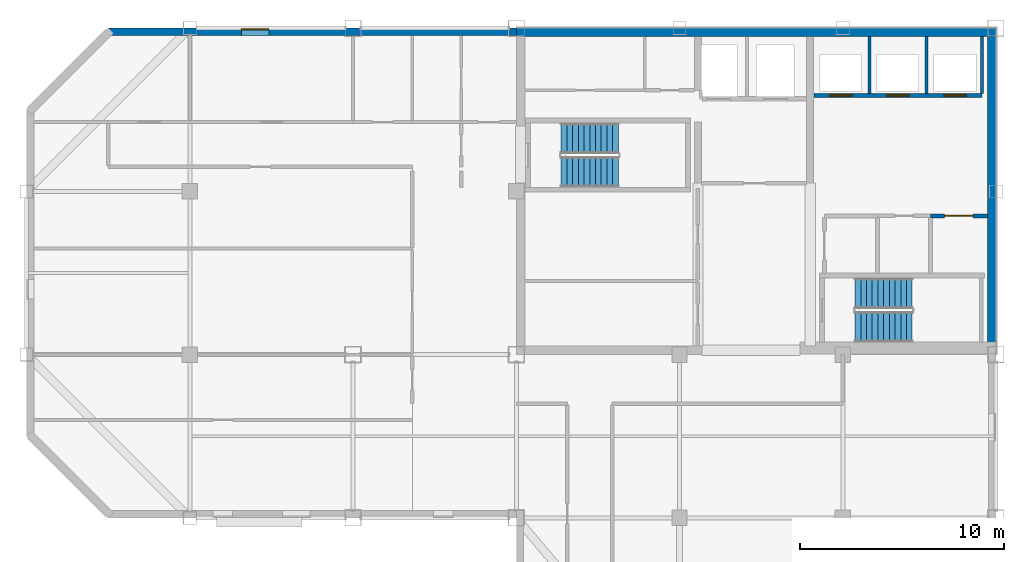
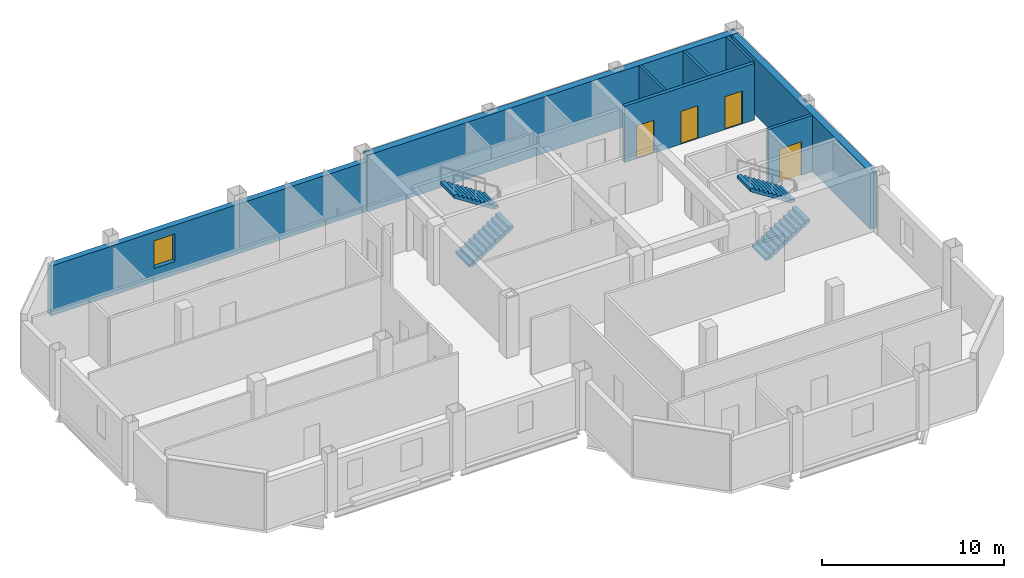
# One storey, part 4 of 7: 8 walls, 4 doors, 4 stair flights, 1 window, 5 openings, 2 elements without a shape of their own.
"""IFC4 building model written with IfcOpenShell, lengths in metres."""

import ifcopenshell
import ifcopenshell.guid

model = None  # the IFC model being written
_history = None  # IfcOwnerHistory: only IFC2X3 demands one
_inside = {}  # id of a spatial element -> (the spatial element, [elements in it])
_under = {}  # id of a project, library or spatial element -> (it, [spatial elements below it])
_declared = {}  # id of a project -> (the project, [libraries it declares])
_typed = {}  # id of a type object -> (the type object, [elements of that type])
_made_of = {}  # id of a material, layer set ... -> (it, [elements and type objects made of it])


def new_model(schema):
    """Start an empty IFC model of exactly this schema.

    Asked for "IFC4X3", IfcOpenShell would pick the latest addendum, in which some entities
    have other attributes; the version numbers below select the first issue.
    IFC2X3 requires an IfcOwnerHistory on every rooted entity: one is made here for all.
    """
    global model, _history
    if schema == "IFC4X3":
        model = ifcopenshell.file(schema_version=(4, 3, 0, 0))
    else:
        model = ifcopenshell.file(schema=schema)
    _inside.clear()
    _under.clear()
    _declared.clear()
    _typed.clear()
    _made_of.clear()
    _history = None
    if model.schema == "IFC2X3":
        org = make("IfcOrganization", Name="unknown")
        user = make(
            "IfcPersonAndOrganization",
            ThePerson=make("IfcPerson", FamilyName="unknown"),
            TheOrganization=org,
        )
        app = make(
            "IfcApplication",
            ApplicationDeveloper=org,
            Version="unknown",
            ApplicationFullName="unknown",
            ApplicationIdentifier="unknown",
        )
        _history = make(
            "IfcOwnerHistory",
            OwningUser=user,
            OwningApplication=app,
            ChangeAction="ADDED",
            CreationDate=0,
        )
    return model


def make(cls, **values):
    """One entity of the class cls with the attributes given. An attribute that is None is left unset."""
    return model.create_entity(
        cls, **{name: value for name, value in values.items() if value is not None}
    )


def rooted(cls, **values):
    """An entity with a GlobalId (a new one), such as an element, a storey or a relation."""
    return make(cls, GlobalId=ifcopenshell.guid.new(), OwnerHistory=_history, **values)


def si_unit(unit_type, name, prefix=None):
    """IfcSIUnit, for example si_unit("LENGTHUNIT", "METRE", prefix="MILLI")."""
    return make("IfcSIUnit", UnitType=unit_type, Prefix=prefix, Name=name)


def assignment(units):
    """IfcUnitAssignment: the units of a project."""
    return None if units is None else make("IfcUnitAssignment", Units=units)


def point(xyz):
    """IfcCartesianPoint."""
    return None if xyz is None else make("IfcCartesianPoint", Coordinates=xyz)


def direction(xyz):
    """IfcDirection."""
    return None if xyz is None else make("IfcDirection", DirectionRatios=xyz)


def frame(location, z_axis=None, x_axis=None):
    """IfcAxis2Placement3D, a coordinate frame: its origin and axes. An axis left out is left unset."""
    return make(
        "IfcAxis2Placement3D",
        Location=point(location),
        Axis=direction(z_axis),
        RefDirection=direction(x_axis),
    )


def frame_2d(location, x_axis=None):
    """IfcAxis2Placement2D, a coordinate frame in the plane: its origin and x axis."""
    return make(
        "IfcAxis2Placement2D", Location=point(location), RefDirection=direction(x_axis)
    )


def origin():
    """The frame at (0, 0, 0) with its axes left unset."""
    return frame((0.0, 0.0, 0.0))


def place(relative_to, where):
    """IfcLocalPlacement: puts the frame where relative to a parent placement (None: the world)."""
    return make(
        "IfcLocalPlacement", PlacementRelTo=relative_to, RelativePlacement=where
    )


def context(
    kind, dimensions, precision=None, world=None, true_north=None, identifier=None
):
    """IfcGeometricRepresentationContext, for example the 3D "Model" context."""
    return make(
        "IfcGeometricRepresentationContext",
        ContextIdentifier=identifier,
        ContextType=kind,
        CoordinateSpaceDimension=dimensions,
        Precision=precision,
        WorldCoordinateSystem=world,
        TrueNorth=true_north,
    )


def subcontext(parent, identifier, kind, view, scale=None):
    """IfcGeometricRepresentationSubContext, for example "Body" below "Model"."""
    return make(
        "IfcGeometricRepresentationSubContext",
        ContextIdentifier=identifier,
        ContextType=kind,
        ParentContext=parent,
        TargetScale=scale,
        TargetView=view,
    )


def project(units=None, contexts=None):
    """IfcProject with its units and contexts."""
    return rooted(
        "IfcProject",
        Name="project",
        RepresentationContexts=contexts,
        UnitsInContext=assignment(units),
    )


def spatial(cls, under=None, at=None, **own):
    """A site, building, storey or space (cls), placed at a placement, below another one or the project."""
    s = rooted(cls, ObjectPlacement=at, **own)
    if under is not None:
        _under.setdefault(under.id(), (under, []))[1].append(s)
    return s


def polyline(points):
    """IfcPolyline through the points."""
    return make("IfcPolyline", Points=[point(p) for p in points])


def profile(cls, at=None, kind="AREA", **sizes):
    """A parametric profile (cls). Its sizes go by their IFC names, for example OverallWidth=200.0."""
    return make(cls, ProfileType=kind, Position=at, **sizes)


def rectangle(**sizes):
    """IfcRectangleProfileDef."""
    return profile("IfcRectangleProfileDef", **sizes)


def outline(outer, holes=None, kind="AREA"):
    """IfcArbitraryClosedProfileDef: a profile drawn as a closed curve; with holes, ...WithVoids."""
    if holes is None:
        return make("IfcArbitraryClosedProfileDef", ProfileType=kind, OuterCurve=outer)
    return make(
        "IfcArbitraryProfileDefWithVoids",
        ProfileType=kind,
        OuterCurve=outer,
        InnerCurves=holes,
    )


def extrude(swept, where, along, depth):
    """IfcExtrudedAreaSolid: the profile swept, set in the frame where, extruded along a direction by depth."""
    return make(
        "IfcExtrudedAreaSolid",
        SweptArea=swept,
        Position=where,
        ExtrudedDirection=direction(along),
        Depth=depth,
    )


def shape(context_of_items, identifier, shape_type, items):
    """IfcShapeRepresentation: the items that make up one representation, for example the "Body"."""
    return make(
        "IfcShapeRepresentation",
        ContextOfItems=context_of_items,
        RepresentationIdentifier=identifier,
        RepresentationType=shape_type,
        Items=items,
    )


def material(Name=None, Category=None):
    """IfcMaterial."""
    return make("IfcMaterial", Name=Name, Category=Category)


def layer(
    of_material, thickness, ventilated=None, Name=None, Category=None, Priority=None
):
    """IfcMaterialLayer: one layer of a wall or slab, of a material (None: an air gap)."""
    return make(
        "IfcMaterialLayer",
        Material=of_material,
        LayerThickness=thickness,
        IsVentilated=ventilated,
        Name=Name,
        Category=Category,
        Priority=Priority,
    )


def layer_set(layers, Name=None):
    """IfcMaterialLayerSet."""
    return make("IfcMaterialLayerSet", MaterialLayers=layers, LayerSetName=Name)


def made_of(thing, what):
    """Note that an element or type object is made of a material, layer set ...; save() writes the relation."""
    if what is not None:
        _made_of.setdefault(what.id(), (what, []))[1].append(thing)
    return thing


def type_object(cls, material=None, **own):
    """A type object (cls), such as IfcWallType, which elements share."""
    return made_of(rooted(cls, **own), material)


def element(
    cls,
    number,
    at=None,
    inside=None,
    cuts=None,
    type_object=None,
    material=None,
    context=None,
    identifier="Body",
    shape_type=None,
    held_by="IfcProductDefinitionShape",
    body=None,
    shapes=None,
    **own,
):
    """One element of the class cls, such as IfcWall. Its Tag is "e" and its number.

    at: its placement. inside: the storey or other place that contains it. cuts: it is an
    opening in that element (IfcRelVoidsElement). A single representation is given by context,
    identifier, shape_type and body (its items); several are given by shapes. held_by: the class
    of the entity that holds the representations. save() writes the other relations.
    """
    e = rooted(cls, Tag="e%d" % number, ObjectPlacement=at, **own)
    if body is not None:
        shapes = [shape(context, identifier, shape_type, body)]
    if shapes is not None:
        e.Representation = make(held_by, Representations=shapes)
    if inside is not None:
        _inside.setdefault(inside.id(), (inside, []))[1].append(e)
    if cuts is not None:
        rooted(
            "IfcRelVoidsElement", RelatingBuildingElement=cuts, RelatedOpeningElement=e
        )
    if type_object is not None:
        _typed.setdefault(type_object.id(), (type_object, []))[1].append(e)
    return made_of(e, material)


def fill(opening, filler):
    """IfcRelFillsElement: the door or window that sits in an opening."""
    return rooted(
        "IfcRelFillsElement",
        RelatingOpeningElement=opening,
        RelatedBuildingElement=filler,
    )


def aggregate(whole, parts):
    """IfcRelAggregates: a whole, such as a stair, and the parts it consists of."""
    return rooted("IfcRelAggregates", RelatingObject=whole, RelatedObjects=parts)


def save(model, path):
    """Write the relations noted so far, then the file.

    IfcRelAggregates (storeys below a building ...), IfcRelContainedInSpatialStructure (elements
    in a storey), IfcRelDefinesByType, IfcRelAssociatesMaterial and IfcRelDeclares: one each for
    every whole, place, type object, material and project.
    """
    for whole, parts in _under.values():
        aggregate(whole, parts)
    for where, things in _inside.values():
        rooted(
            "IfcRelContainedInSpatialStructure",
            RelatedElements=things,
            RelatingStructure=where,
        )
    for kind, things in _typed.values():
        rooted("IfcRelDefinesByType", RelatedObjects=things, RelatingType=kind)
    for what, things in _made_of.values():
        rooted("IfcRelAssociatesMaterial", RelatedObjects=things, RelatingMaterial=what)
    for by, libraries in _declared.values():
        rooted("IfcRelDeclares", RelatingContext=by, RelatedDefinitions=libraries)
    model.write(path)


model = new_model("IFC4")

# Units and contexts
model_context = context("Model", 3, precision=1e-05, world=origin(), true_north=direction((0.0, 1.0)))
body_context = subcontext(model_context, "Body", "Model", "MODEL_VIEW")
ifc_project = project(units=[si_unit("LENGTHUNIT", "METRE"), si_unit("AREAUNIT", "SQUARE_METRE"), si_unit("VOLUMEUNIT", "CUBIC_METRE"), si_unit("PLANEANGLEUNIT", "RADIAN"), si_unit("MASSUNIT", "GRAM", prefix="KILO")], contexts=[model_context])

# Site, building, storey
site_placement = place(None, origin())
site = spatial("IfcSite", under=ifc_project, at=site_placement, CompositionType="ELEMENT")
building_placement = place(site_placement, origin())
building = spatial("IfcBuilding", under=site, at=building_placement, Name="Qianrong Seaharbour Tower", CompositionType="ELEMENT")
storey_placement = place(building_placement, frame((0.0, 0.0, 307.199951171875)))
storey = spatial("IfcBuildingStorey", under=building, at=storey_placement, Name="L74", CompositionType="ELEMENT", Elevation=307.199951171875)

# Walls
ifc_material_1 = material(Name="Concrete C50/60", Category="concrete")
ifc_layer_1 = layer(ifc_material_1, 0.419921875)
ifc_layer_set_1 = layer_set([ifc_layer_1], Name="Concrete C50/60")
wall_type_1 = type_object("IfcWallType", Name="WALL-CORE-420", PredefinedType="SHEAR", material=ifc_layer_set_1)
wall_1_placement = place(storey_placement, frame((40.5, 51.7900390625, 0.0), z_axis=(0.0, 0.0, 1.0), x_axis=(1.0, 0.0, 0.0)))
element("IfcWall", 1, at=wall_1_placement, inside=storey, type_object=wall_type_1, Name="L74 North Core Shear Wall", PredefinedType="SHEAR", context=body_context, shape_type="SweptSolid", body=[
    extrude(rectangle(XDim=23.5, YDim=0.419921875, at=frame_2d((11.75, 0.0))), origin(), (0.0, 0.0, 1.0), 3.78515625),
])
wall_2_placement = place(storey_placement, frame((63.7900390625, 36.320068359375, 0.0), z_axis=(0.0, 0.0, 1.0), x_axis=(0.0, 1.0, 0.0)))
element("IfcWall", 2, at=wall_2_placement, inside=storey, type_object=wall_type_1, Name="L74 East Core Shear Wall", PredefinedType="SHEAR", context=body_context, shape_type="SweptSolid", body=[
    extrude(rectangle(XDim=15.260009765625, YDim=0.419921875, at=frame_2d((7.6298828125, 0.0))), origin(), (0.0, 0.0, 1.0), 3.78515625),
])

# Wall, opening, window
ifc_material_2 = material(Name="Unitised red brick on Precast concrete C45/55", Category="masonry")
ifc_layer_2 = layer(ifc_material_2, 0.360107421875)
ifc_layer_set_2 = layer_set([ifc_layer_2], Name="Unitised red brick on Precast concrete C45/55")
wall_type_2 = type_object("IfcWallType", Name="WALL-EXT-BRICK-RED-360", PredefinedType="SOLIDWALL", material=ifc_layer_set_2)
wall_3_placement = place(storey_placement, frame((20.5, 51.820068359375, 0.0), z_axis=(0.0, 0.0, 1.0), x_axis=(1.0, 0.0, 0.0)))
wall_3 = element("IfcWall", 3, at=wall_3_placement, inside=storey, type_object=wall_type_2, Name="L74 Exterior Masonry Facade Wall NORTH_WING", PredefinedType="SOLIDWALL", context=body_context, shape_type="SweptSolid", body=[
    extrude(rectangle(XDim=20.02001953125, YDim=0.360107421875, at=frame_2d((10.010009765625, 0.0))), origin(), (0.0, 0.0, 1.0), 3.3349609375),
])
opening_1_placement = place(wall_3_placement, frame((6.52490234375, 0.0, 0.89990234375)))
opening_1 = element("IfcOpeningElement", 4, at=opening_1_placement, cuts=wall_3, Name="Opening WN-02", PredefinedType="OPENING", context=body_context, shape_type="SweptSolid", body=[
    extrude(rectangle(XDim=1.35009765625, YDim=1.85009765625, at=frame_2d((0.675048828125, 0.925048828125))), frame((0.0, 0.18994140625, 0.0), z_axis=(0.0, -1.0, 0.0), x_axis=(1.0, 0.0, 0.0)), (0.0, 0.0, 1.0), 0.380126953125),
])
ifc_material_3 = material(Name="Insulated low-e double glazing in thermally broken aluminium 6063-T6 frame", Category="aluminium")
window_type = type_object("IfcWindowType", Name="WIN-PUNCH-1350x1850", PartitioningType="DOUBLE_PANEL_VERTICAL", PredefinedType="WINDOW", material=ifc_material_3)
window_placement = place(opening_1_placement, origin())
window = element("IfcWindow", 5, at=window_placement, inside=storey, type_object=window_type, Name="L74 Deep-Set Punched Window 05.02", OverallHeight=1.85009765625, OverallWidth=1.35009765625, PartitioningType="DOUBLE_PANEL_VERTICAL", PredefinedType="WINDOW", context=body_context, shape_type="SweptSolid", body=[
    extrude(rectangle(XDim=1.35009765625, YDim=1.85009765625, at=frame_2d((0.675048828125, 0.925048828125))), frame((0.0, 0.150146484375, 0.0), z_axis=(0.0, -1.0, 0.0), x_axis=(1.0, 0.0, 0.0)), (0.0, 0.0, 1.0), 0.06005859375),
])
fill(opening_1, window)

# Wall, opening, door
ifc_material_4 = material(Name="Double fire-rated gypsum board acoustic partition")
ifc_layer_3 = layer(ifc_material_4, 0.18994140625)
ifc_layer_set_3 = layer_set([ifc_layer_3], Name="Double fire-rated gypsum board acoustic partition")
wall_type_3 = type_object("IfcWallType", Name="WALL-FIRE-PART-190", PredefinedType="PARTITIONING", material=ifc_layer_set_3)
wall_4_placement = place(storey_placement, frame((63.580078125, 42.800048828125, 0.0), z_axis=(0.0, 0.0, 1.0), x_axis=(-1.0, 0.0, 0.0)))
wall_4 = element("IfcWall", 6, at=wall_4_placement, inside=storey, type_object=wall_type_3, Name="L74 Interior Partition Wall 016", PredefinedType="PARTITIONING", context=body_context, shape_type="SweptSolid", body=[
    extrude(rectangle(XDim=2.780029296875, YDim=0.18994140625, at=frame_2d((1.39013671875, 0.0))), origin(), (0.0, 0.0, 1.0), 3.78515625),
])
opening_2_placement = place(wall_4_placement, frame((0.68994140625, 0.0, 0.0)))
opening_2 = element("IfcOpeningElement", 7, at=opening_2_placement, cuts=wall_4, Name="Opening DP-01", PredefinedType="OPENING", context=body_context, shape_type="SweptSolid", body=[
    extrude(rectangle(XDim=1.39990234375, YDim=2.25, at=frame_2d((0.699951171875, 1.125))), frame((0.0, 0.10498046875, 0.0), z_axis=(0.0, -1.0, 0.0), x_axis=(1.0, 0.0, 0.0)), (0.0, 0.0, 1.0), 0.2099609375),
])
ifc_material_5 = material(Name="Acoustic timber and galvanized steel fire door assembly", Category="steel")
door_type_1 = type_object("IfcDoorType", Name="DOOR-PLANT-PAIR-1400x2250", OperationType="DOUBLE_DOOR_SINGLE_SWING", PredefinedType="DOOR", material=ifc_material_5)
door_1_placement = place(opening_2_placement, origin())
door_1 = element("IfcDoor", 8, at=door_1_placement, inside=storey, type_object=door_type_1, Name="L74 Building Metering Room Door", OperationType="DOUBLE_DOOR_SINGLE_SWING", OverallHeight=2.25, OverallWidth=1.39990234375, PredefinedType="DOOR", context=body_context, shape_type="SweptSolid", body=[
    extrude(rectangle(XDim=1.39990234375, YDim=2.25, at=frame_2d((0.699951171875, 1.125))), frame((0.0, 0.02490234375, 0.0), z_axis=(0.0, -1.0, 0.0), x_axis=(1.0, 0.0, 0.0)), (0.0, 0.0, 1.0), 0.050048828125),
])
fill(opening_2, door_1)

# Walls
ifc_material_6 = material(Name="Fire-rated gypsum board on steel studs", Category="steel")
ifc_layer_4 = layer(ifc_material_6, 0.14990234375)
ifc_layer_set_4 = layer_set([ifc_layer_4], Name="Fire-rated gypsum board on steel studs")
wall_type_4 = type_object("IfcWallType", Name="WALL-SHAFT-DIV-150", PredefinedType="PARTITIONING", material=ifc_layer_set_4)
for number, where, z_axis, x_axis, name in (
    (9, (57.800048828125, 48.81005859375, 0.0), (0.0, 0.0, 1.0), (0.0, 1.0, 0.0), "L74 P4 Lift Hoistway Divider 2"),
    (10, (60.60009765625, 48.81005859375, 0.0), (0.0, 0.0, 1.0), (0.0, 1.0, 0.0), "L74 P4 Lift Hoistway Divider 3"),
    (11, (63.320068359375, 48.81005859375, 0.0), (0.0, 0.0, 1.0), (0.0, 1.0, 0.0), "L74 P4 Lift Hoistway Divider 4"),
):
    element("IfcWall", number, at=place(storey_placement, frame(where, z_axis=z_axis, x_axis=x_axis)), inside=storey, type_object=wall_type_4, Name=name, PredefinedType="PARTITIONING", context=body_context, shape_type="SweptSolid", body=[
        extrude(rectangle(XDim=2.77001953125, YDim=0.14990234375, at=frame_2d((1.385009765625, 0.0))), origin(), (0.0, 0.0, 1.0), 3.78515625),
    ])

# Wall, openings, doors
ifc_layer_5 = layer(ifc_material_6, 0.219970703125)
ifc_layer_set_5 = layer_set([ifc_layer_5], Name="Fire-rated gypsum board on steel studs")
wall_type_5 = type_object("IfcWallType", Name="WALL-SHAFT-GYP220", PredefinedType="PARTITIONING", material=ifc_layer_set_5)
wall_5_placement = place(storey_placement, frame((63.320068359375, 48.699951171875, 0.0), z_axis=(0.0, 0.0, 1.0), x_axis=(-1.0, 0.0, 0.0)))
wall_5 = element("IfcWall", 12, at=wall_5_placement, inside=storey, type_object=wall_type_5, Name="L74 P4 Lift Hoistway Front Wall", PredefinedType="PARTITIONING", context=body_context, shape_type="SweptSolid", body=[
    extrude(rectangle(XDim=8.239990234375, YDim=0.219970703125, at=frame_2d((4.1201171875, 0.0))), origin(), (0.0, 0.0, 1.0), 3.78515625),
])
opening_3_placement = place(wall_5_placement, frame((6.3701171875, 0.0, 0.0)))
opening_3 = element("IfcOpeningElement", 13, at=opening_3_placement, cuts=wall_5, Name="Opening LD-02", PredefinedType="OPENING", context=body_context, shape_type="SweptSolid", body=[
    extrude(rectangle(XDim=1.10009765625, YDim=2.199951171875, at=frame_2d((0.550048828125, 1.10009765625))), frame((0.0, 0.1201171875, 0.0), z_axis=(0.0, -1.0, 0.0), x_axis=(1.0, 0.0, 0.0)), (0.0, 0.0, 1.0), 0.239990234375),
])
opening_4_placement = place(wall_5_placement, frame((3.570068359375, 0.0, 0.0)))
opening_4 = element("IfcOpeningElement", 14, at=opening_4_placement, cuts=wall_5, Name="Opening LD-02", PredefinedType="OPENING", context=body_context, shape_type="SweptSolid", body=[
    extrude(rectangle(XDim=1.10009765625, YDim=2.199951171875, at=frame_2d((0.550048828125, 1.10009765625))), frame((0.0, 0.1201171875, 0.0), z_axis=(0.0, -1.0, 0.0), x_axis=(1.0, 0.0, 0.0)), (0.0, 0.0, 1.0), 0.239990234375),
])
opening_5_placement = place(wall_5_placement, frame((0.77001953125, 0.0, 0.0)))
opening_5 = element("IfcOpeningElement", 15, at=opening_5_placement, cuts=wall_5, Name="Opening LD-02", PredefinedType="OPENING", context=body_context, shape_type="SweptSolid", body=[
    extrude(rectangle(XDim=1.10009765625, YDim=2.199951171875, at=frame_2d((0.550048828125, 1.10009765625))), frame((0.0, 0.1201171875, 0.0), z_axis=(0.0, -1.0, 0.0), x_axis=(1.0, 0.0, 0.0)), (0.0, 0.0, 1.0), 0.239990234375),
])
ifc_material_7 = material(Name="Stainless steel SUS316L bi-parting lift landing door", Category="steel")
door_type_2 = type_object("IfcDoorType", Name="DOOR-LIFT-PASS-1100x2200", OperationType="DOUBLE_DOOR_SLIDING", PredefinedType="DOOR", material=ifc_material_7)
door_2_placement = place(opening_3_placement, origin())
door_2 = element("IfcDoor", 16, at=door_2_placement, inside=storey, type_object=door_type_2, Name="L74 PL-4A Lift Landing Door", OperationType="DOUBLE_DOOR_SLIDING", OverallHeight=2.199951171875, OverallWidth=1.10009765625, PredefinedType="DOOR", context=body_context, shape_type="SweptSolid", body=[
    extrude(rectangle(XDim=1.10009765625, YDim=2.199951171875, at=frame_2d((0.550048828125, 1.10009765625))), frame((0.0, 0.02490234375, 0.0), z_axis=(0.0, -1.0, 0.0), x_axis=(1.0, 0.0, 0.0)), (0.0, 0.0, 1.0), 0.050048828125),
])
fill(opening_3, door_2)
door_3_placement = place(opening_4_placement, origin())
door_3 = element("IfcDoor", 17, at=door_3_placement, inside=storey, type_object=door_type_2, Name="L74 PL-4B Lift Landing Door", OperationType="DOUBLE_DOOR_SLIDING", OverallHeight=2.199951171875, OverallWidth=1.10009765625, PredefinedType="DOOR", context=body_context, shape_type="SweptSolid", body=[
    extrude(rectangle(XDim=1.10009765625, YDim=2.199951171875, at=frame_2d((0.550048828125, 1.10009765625))), frame((0.0, 0.02490234375, 0.0), z_axis=(0.0, -1.0, 0.0), x_axis=(1.0, 0.0, 0.0)), (0.0, 0.0, 1.0), 0.050048828125),
])
fill(opening_4, door_3)
door_4_placement = place(opening_5_placement, origin())
door_4 = element("IfcDoor", 18, at=door_4_placement, inside=storey, type_object=door_type_2, Name="L74 PL-4C Lift Landing Door", OperationType="DOUBLE_DOOR_SLIDING", OverallHeight=2.199951171875, OverallWidth=1.10009765625, PredefinedType="DOOR", context=body_context, shape_type="SweptSolid", body=[
    extrude(rectangle(XDim=1.10009765625, YDim=2.199951171875, at=frame_2d((0.550048828125, 1.10009765625))), frame((0.0, 0.02490234375, 0.0), z_axis=(0.0, -1.0, 0.0), x_axis=(1.0, 0.0, 0.0)), (0.0, 0.0, 1.0), 0.050048828125),
])
fill(opening_5, door_4)

# Stair, stair flights
stair_type = type_object("IfcStairType", Name="STAIR-DOGLEG-1500-R22", PredefinedType="HALF_TURN_STAIR", material=ifc_material_1)
stair_1_placement = place(storey_placement, origin())
stair_1 = element("IfcStair", 19, at=stair_1_placement, inside=storey, type_object=stair_type, Name="L74 Protected Escape Stair ST-1", PredefinedType="HALF_TURN_STAIR")
stair_flight_type = type_object("IfcStairFlightType", Name="FLIGHT-STR-1500-R22", PredefinedType="STRAIGHT", material=ifc_material_1)
stair_flight_1_placement = place(storey_placement, frame((42.699951171875, 44.949951171875, 0.0), z_axis=(0.0, 0.0, 1.0), x_axis=(1.0, 0.0, 0.0)))
stair_flight_1 = element("IfcStairFlight", 20, at=stair_flight_1_placement, type_object=stair_flight_type, Name="ST-1 flight 1", NumberOfRisers=11, NumberOfTreads=10, PredefinedType="STRAIGHT", RiserHeight=0.181818182, TreadLength=0.28, context=body_context, shape_type="SweptSolid", body=[
    extrude(outline(polyline([(0.0, 0.0), (0.0, 0.181884765625), (0.280029296875, 0.181884765625), (0.280029296875, 0.363525390625), (0.56005859375, 0.363525390625), (0.56005859375, 0.54541015625), (0.840087890625, 0.54541015625), (0.840087890625, 0.727294921875), (1.1201171875, 0.727294921875), (1.1201171875, 0.9091796875), (1.39990234375, 0.9091796875), (1.39990234375, 1.0908203125), (1.679931640625, 1.0908203125), (1.679931640625, 1.272705078125), (1.9599609375, 1.272705078125), (1.9599609375, 1.45458984375), (2.239990234375, 1.45458984375), (2.239990234375, 1.636474609375), (2.52001953125, 1.636474609375), (2.52001953125, 1.818115234375), (2.800048828125, 1.818115234375), (2.800048828125, 2.0), (2.800048828125, 1.62744140625), (0.293701171875, 0.0), (0.0, 0.0)])), frame((0.0, 0.75, 0.0), z_axis=(0.0, -1.0, 0.0), x_axis=(1.0, 0.0, 0.0)), (0.0, 0.0, 1.0), 1.5),
])
stair_flight_2_placement = place(storey_placement, frame((45.5, 46.60009765625, 2.0), z_axis=(0.0, 0.0, 1.0), x_axis=(-1.0, 0.0, 0.0)))
stair_flight_2 = element("IfcStairFlight", 21, at=stair_flight_2_placement, type_object=stair_flight_type, Name="ST-1 flight 2", NumberOfRisers=11, NumberOfTreads=10, PredefinedType="STRAIGHT", RiserHeight=0.181818182, TreadLength=0.28, context=body_context, shape_type="SweptSolid", body=[
    extrude(outline(polyline([(0.0, 0.0), (0.0, 0.181884765625), (0.280029296875, 0.181884765625), (0.280029296875, 0.363525390625), (0.56005859375, 0.363525390625), (0.56005859375, 0.54541015625), (0.840087890625, 0.54541015625), (0.840087890625, 0.727294921875), (1.1201171875, 0.727294921875), (1.1201171875, 0.9091796875), (1.39990234375, 0.9091796875), (1.39990234375, 1.0908203125), (1.679931640625, 1.0908203125), (1.679931640625, 1.272705078125), (1.9599609375, 1.272705078125), (1.9599609375, 1.45458984375), (2.239990234375, 1.45458984375), (2.239990234375, 1.636474609375), (2.52001953125, 1.636474609375), (2.52001953125, 1.818115234375), (2.800048828125, 1.818115234375), (2.800048828125, 2.0), (2.800048828125, 1.62744140625), (0.293701171875, 0.0), (0.0, 0.0)])), frame((0.0, 0.75, 0.0), z_axis=(0.0, -1.0, 0.0), x_axis=(1.0, 0.0, 0.0)), (0.0, 0.0, 1.0), 1.5),
])
aggregate(stair_1, [stair_flight_1, stair_flight_2])

stair_2_placement = place(storey_placement, origin())
stair_2 = element("IfcStair", 22, at=stair_2_placement, inside=storey, type_object=stair_type, Name="L74 Protected Escape Stair ST-2", PredefinedType="HALF_TURN_STAIR")
stair_flight_3_placement = place(storey_placement, frame((57.10009765625, 37.35009765625, 0.0), z_axis=(0.0, 0.0, 1.0), x_axis=(1.0, 0.0, 0.0)))
stair_flight_3 = element("IfcStairFlight", 23, at=stair_flight_3_placement, type_object=stair_flight_type, Name="ST-2 flight 1", NumberOfRisers=11, NumberOfTreads=10, PredefinedType="STRAIGHT", RiserHeight=0.181818182, TreadLength=0.28, context=body_context, shape_type="SweptSolid", body=[
    extrude(outline(polyline([(0.0, 0.0), (0.0, 0.181884765625), (0.280029296875, 0.181884765625), (0.280029296875, 0.363525390625), (0.56005859375, 0.363525390625), (0.56005859375, 0.54541015625), (0.840087890625, 0.54541015625), (0.840087890625, 0.727294921875), (1.1201171875, 0.727294921875), (1.1201171875, 0.9091796875), (1.39990234375, 0.9091796875), (1.39990234375, 1.0908203125), (1.679931640625, 1.0908203125), (1.679931640625, 1.272705078125), (1.9599609375, 1.272705078125), (1.9599609375, 1.45458984375), (2.239990234375, 1.45458984375), (2.239990234375, 1.636474609375), (2.52001953125, 1.636474609375), (2.52001953125, 1.818115234375), (2.800048828125, 1.818115234375), (2.800048828125, 2.0), (2.800048828125, 1.62744140625), (0.293701171875, 0.0), (0.0, 0.0)])), frame((0.0, 0.75, 0.0), z_axis=(0.0, -1.0, 0.0), x_axis=(1.0, 0.0, 0.0)), (0.0, 0.0, 1.0), 1.5),
])
stair_flight_4_placement = place(storey_placement, frame((59.89990234375, 39.0, 2.0), z_axis=(0.0, 0.0, 1.0), x_axis=(-1.0, 0.0, 0.0)))
stair_flight_4 = element("IfcStairFlight", 24, at=stair_flight_4_placement, type_object=stair_flight_type, Name="ST-2 flight 2", NumberOfRisers=11, NumberOfTreads=10, PredefinedType="STRAIGHT", RiserHeight=0.181818182, TreadLength=0.28, context=body_context, shape_type="SweptSolid", body=[
    extrude(outline(polyline([(0.0, 0.0), (0.0, 0.181884765625), (0.280029296875, 0.181884765625), (0.280029296875, 0.363525390625), (0.56005859375, 0.363525390625), (0.56005859375, 0.54541015625), (0.840087890625, 0.54541015625), (0.840087890625, 0.727294921875), (1.1201171875, 0.727294921875), (1.1201171875, 0.9091796875), (1.39990234375, 0.9091796875), (1.39990234375, 1.0908203125), (1.679931640625, 1.0908203125), (1.679931640625, 1.272705078125), (1.9599609375, 1.272705078125), (1.9599609375, 1.45458984375), (2.239990234375, 1.45458984375), (2.239990234375, 1.636474609375), (2.52001953125, 1.636474609375), (2.52001953125, 1.818115234375), (2.800048828125, 1.818115234375), (2.800048828125, 2.0), (2.800048828125, 1.62744140625), (0.293701171875, 0.0), (0.0, 0.0)])), frame((0.0, 0.75, 0.0), z_axis=(0.0, -1.0, 0.0), x_axis=(1.0, 0.0, 0.0)), (0.0, 0.0, 1.0), 1.5),
])
aggregate(stair_2, [stair_flight_3, stair_flight_4])

save(model, "model.ifc")
